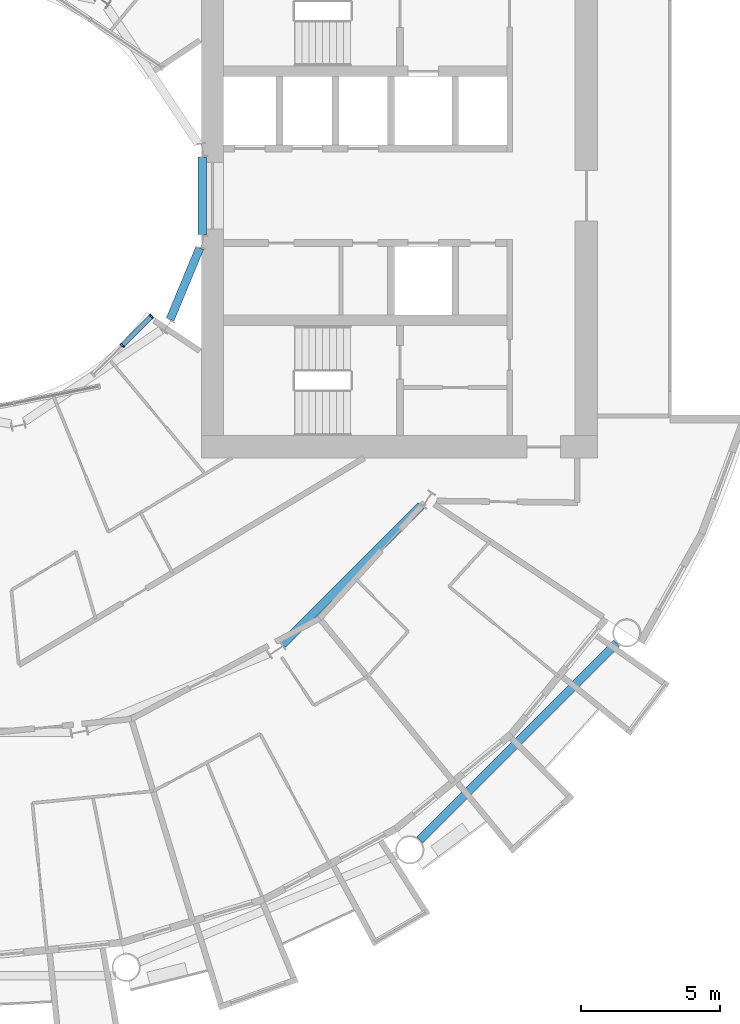
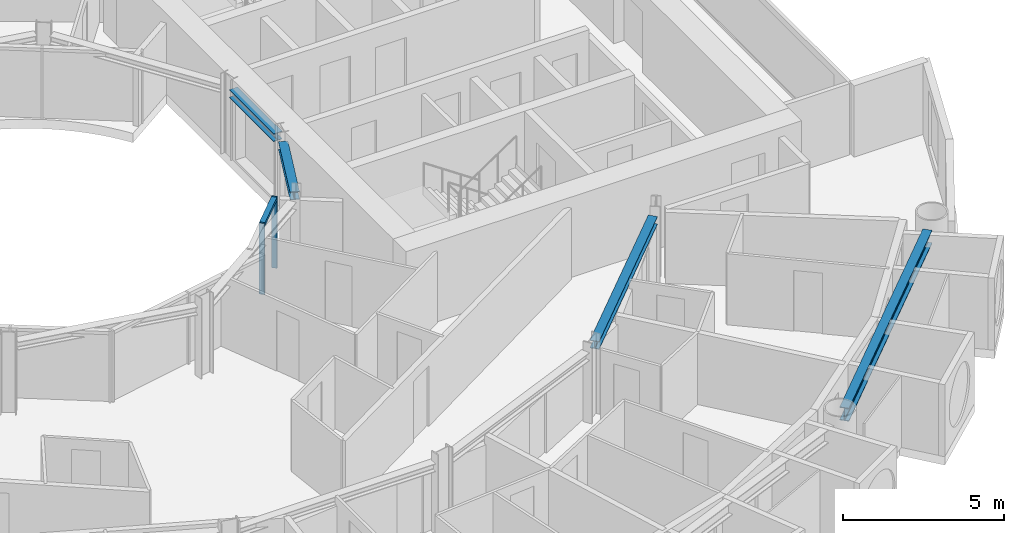
# One storey, part 6 of 26: 4 beams, 3 members, 1 element without a shape of its own.
"""IFC4 building model written with IfcOpenShell, lengths in metres."""

from ifc_helpers import new_model, si_unit, direction, frame, origin, origin_2d, place, context, subcontext, project, spatial, rectangle, i_section, extrude, material, layer, layer_set, material_profile, profile_set, type_object, element, aggregate, save


model = new_model("IFC4")

# Units and contexts
model_context = context("Model", 3, precision=1e-05, world=origin(), true_north=direction((0.0, 1.0)))
body_context = subcontext(model_context, "Body", "Model", "MODEL_VIEW")
ifc_project = project(units=[si_unit("LENGTHUNIT", "METRE"), si_unit("AREAUNIT", "SQUARE_METRE"), si_unit("VOLUMEUNIT", "CUBIC_METRE"), si_unit("PLANEANGLEUNIT", "RADIAN"), si_unit("MASSUNIT", "GRAM", prefix="KILO")], contexts=[model_context])

# Site, building, storey
site_placement = place(None, origin())
site = spatial("IfcSite", under=ifc_project, at=site_placement, CompositionType="ELEMENT")
building_placement = place(site_placement, origin())
building = spatial("IfcBuilding", under=site, at=building_placement, Name="Maasbend Ring Residences", CompositionType="ELEMENT")
storey_placement = place(building_placement, frame((0.0, 0.0, 50.25)))
storey = spatial("IfcBuildingStorey", under=building, at=storey_placement, Name="L14", CompositionType="ELEMENT", Elevation=50.25)

# Curtain wall, members
ifc_material_1 = material(Name="Aluminium and clear glass", Category="aluminium")
ifc_layer = layer(ifc_material_1, 0.179931640625)
ifc_layer_set = layer_set([ifc_layer], Name="CW-W")
curtain_wall_type = type_object("IfcCurtainWallType", Name="CW-W", PredefinedType="NOTDEFINED", material=ifc_layer_set)
curtain_wall_placement = place(storey_placement, origin())
curtain_wall = element("IfcCurtainWall", 1, at=curtain_wall_placement, inside=storey, type_object=curtain_wall_type, Name="Well curtain wall S3", PredefinedType="NOTDEFINED")
ifc_material_2 = material(Name="Aluminium 6063-T6", Category="aluminium")
ifc_material_profile_1 = material_profile(ifc_material_2, rectangle(XDim=0.179931640625, YDim=0.06005859375, at=origin_2d()), Name="AL 180x60")
ifc_profile_set_1 = profile_set([ifc_material_profile_1], Name="Aluminium 6063-T6")
member_type_1 = type_object("IfcMemberType", Name="CWM-W", PredefinedType="MULLION", material=ifc_profile_set_1)
member_1_placement = place(storey_placement, frame((5.366943359375, -5.366943359375, 0.0), z_axis=(0.0, 0.0, 1.0), x_axis=(-0.707106781187, 0.707106781187, 0.0)))
member_1 = element("IfcMember", 2, at=member_1_placement, type_object=member_type_1, Name="Mullion well face", PredefinedType="MULLION", context=body_context, shape_type="SweptSolid", body=[
    extrude(rectangle(XDim=0.179931640625, YDim=0.06005859375, at=origin_2d()), origin(), (0.0, 0.0, 1.0), 2.699951171875),
])
member_2_placement = place(storey_placement, frame((6.413330078125, -4.320556640625, 0.0), z_axis=(0.0, 0.0, 1.0), x_axis=(-0.707106781187, 0.707106781187, 0.0)))
member_2 = element("IfcMember", 3, at=member_2_placement, type_object=member_type_1, Name="Mullion well face", PredefinedType="MULLION", context=body_context, shape_type="SweptSolid", body=[
    extrude(rectangle(XDim=0.179931640625, YDim=0.06005859375, at=origin_2d()), origin(), (0.0, 0.0, 1.0), 2.699951171875),
])
ifc_material_3 = material(Name="Aluminium 6063-T6", Category="aluminium")
ifc_material_profile_2 = material_profile(ifc_material_3, rectangle(XDim=0.179931640625, YDim=0.1201171875, at=origin_2d()), Name="AL 180x120")
ifc_profile_set_2 = profile_set([ifc_material_profile_2], Name="Aluminium 6063-T6")
member_type_2 = type_object("IfcMemberType", Name="CWT-W", PredefinedType="USERDEFINED", material=ifc_profile_set_2)
member_3_placement = place(storey_placement, frame((5.38818359375, -5.345703125, 2.639892578125), z_axis=(0.707106781187, 0.707106781187, 0.0), x_axis=(-0.707106781187, 0.707106781187, 0.0)))
member_3 = element("IfcMember", 4, at=member_3_placement, type_object=member_type_2, Name="Transom well face", ObjectType="TRANSOM", PredefinedType="USERDEFINED", context=body_context, shape_type="SweptSolid", body=[
    extrude(rectangle(XDim=0.179931640625, YDim=0.1201171875, at=origin_2d()), origin(), (0.0, 0.0, 1.0), 1.419677734375),
])
aggregate(curtain_wall, [member_1, member_2, member_3])

# Beams
ifc_material_4 = material(Name="Steel S355J2", Category="steel")
ifc_material_profile_3 = material_profile(ifc_material_4, i_section(OverallWidth=0.300048828125, OverallDepth=0.300048828125, WebThickness=0.010986328125, FlangeThickness=0.01904296875, FilletRadius=0.027099609375, at=origin_2d()), Name="HEB 300")
ifc_profile_set_3 = profile_set([ifc_material_profile_3], Name="Steel S355J2")
beam_type_1 = type_object("IfcBeamType", Name="Corridor ring beam HEB 300", PredefinedType="BEAM", material=ifc_profile_set_3)
beam_1_placement = place(storey_placement, frame((11.11279296875, -16.0732421875, 2.550048828125), z_axis=(0.707106781187, 0.707106781187, 0.0), x_axis=(-0.707106781187, 0.707106781187, 0.0)))
element("IfcBeam", 5, at=beam_1_placement, inside=storey, type_object=beam_type_1, Name="Corridor ring beam", PredefinedType="BEAM", context=body_context, shape_type="SweptSolid", body=[
    extrude(i_section(OverallWidth=0.300048828125, OverallDepth=0.300048828125, WebThickness=0.010986328125, FlangeThickness=0.01904296875, FilletRadius=0.027099609375, at=origin_2d()), origin(), (0.0, 0.0, 1.0), 7.01513671875),
])
ifc_material_5 = material(Name="Steel S355J2", Category="steel")
ifc_material_profile_4 = material_profile(ifc_material_5, i_section(OverallWidth=0.300048828125, OverallDepth=0.5, WebThickness=0.014404296875, FlangeThickness=0.028076171875, FilletRadius=0.027099609375, at=origin_2d()), Name="HEB 500")
ifc_profile_set_4 = profile_set([ifc_material_profile_4], Name="Steel S355J2")
beam_type_2 = type_object("IfcBeamType", Name="Spandrel ring beam HEB 500", PredefinedType="SPANDREL", material=ifc_profile_set_4)
beam_2_placement = place(storey_placement, frame((16.0263671875, -23.088134765625, 2.449951171875), z_axis=(0.707106781187, 0.707106781187, 0.0), x_axis=(-0.707106781187, 0.707106781187, 0.0)))
element("IfcBeam", 6, at=beam_2_placement, inside=storey, type_object=beam_type_2, Name="Spandrel ring beam", PredefinedType="SPANDREL", context=body_context, shape_type="SweptSolid", body=[
    extrude(i_section(OverallWidth=0.300048828125, OverallDepth=0.5, WebThickness=0.014404296875, FlangeThickness=0.028076171875, FilletRadius=0.027099609375, at=origin_2d()), origin(), (0.0, 0.0, 1.0), 9.98681640625),
])
ifc_material_6 = material(Name="Steel S355J2", Category="steel")
ifc_material_profile_5 = material_profile(ifc_material_6, i_section(OverallWidth=0.300048828125, OverallDepth=0.300048828125, WebThickness=0.010986328125, FlangeThickness=0.01904296875, FilletRadius=0.027099609375, at=origin_2d()), Name="HEB 300")
ifc_profile_set_5 = profile_set([ifc_material_profile_5], Name="Steel S355J2")
beam_type_3 = type_object("IfcBeamType", Name="Well edge beam HEB 300", PredefinedType="BEAM", material=ifc_profile_set_5)
beam_3_placement = place(storey_placement, frame((7.081787109375, -4.431396484375, 2.550048828125), z_axis=(0.382723119906, 0.923863092395, 0.0), x_axis=(-0.923863092395, 0.382723119906, 0.0)))
element("IfcBeam", 7, at=beam_3_placement, inside=storey, type_object=beam_type_3, Name="Well edge beam", PredefinedType="BEAM", context=body_context, shape_type="SweptSolid", body=[
    extrude(i_section(OverallWidth=0.300048828125, OverallDepth=0.300048828125, WebThickness=0.010986328125, FlangeThickness=0.01904296875, FilletRadius=0.027099609375, at=origin_2d()), origin(), (0.0, 0.0, 1.0), 2.767822265625),
])
beam_4_placement = place(storey_placement, frame((8.238525390625, -1.3837890625, 2.550048828125), z_axis=(0.0, 1.0, 0.0), x_axis=(-1.0, 0.0, 0.0)))
element("IfcBeam", 8, at=beam_4_placement, inside=storey, type_object=beam_type_3, Name="Well edge beam", PredefinedType="BEAM", context=body_context, shape_type="SweptSolid", body=[
    extrude(i_section(OverallWidth=0.300048828125, OverallDepth=0.300048828125, WebThickness=0.010986328125, FlangeThickness=0.01904296875, FilletRadius=0.027099609375, at=origin_2d()), origin(), (0.0, 0.0, 1.0), 2.767578125),
])

save(model, "model.ifc")
